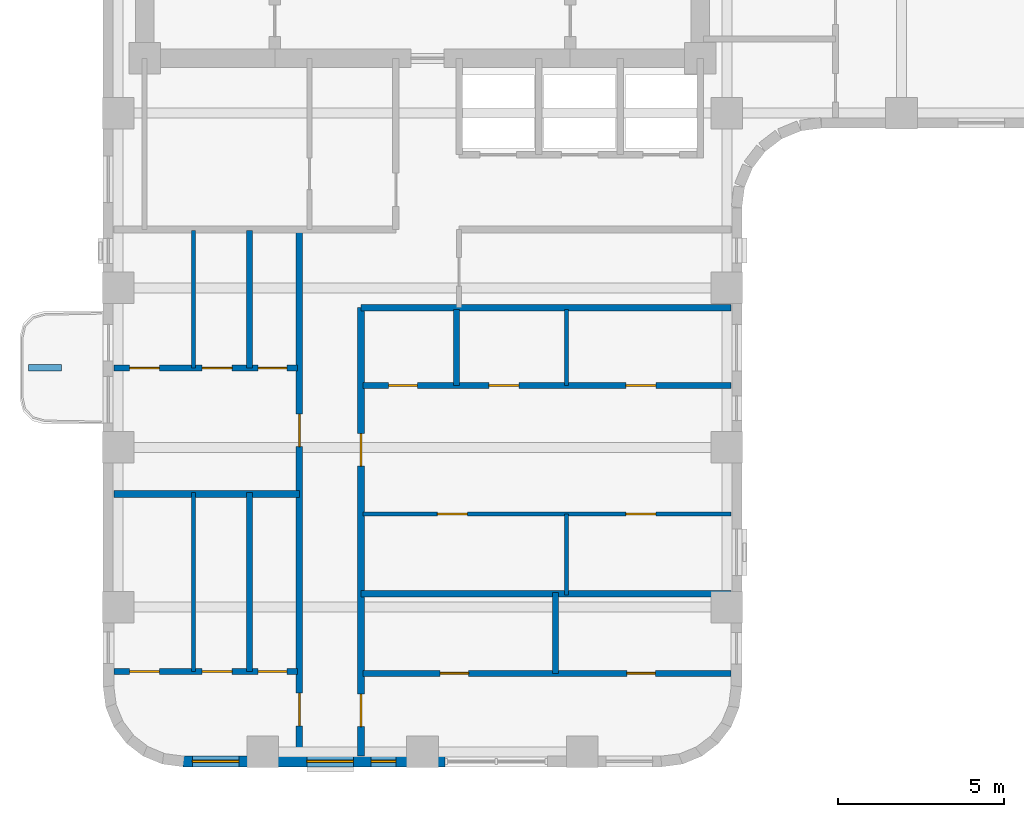
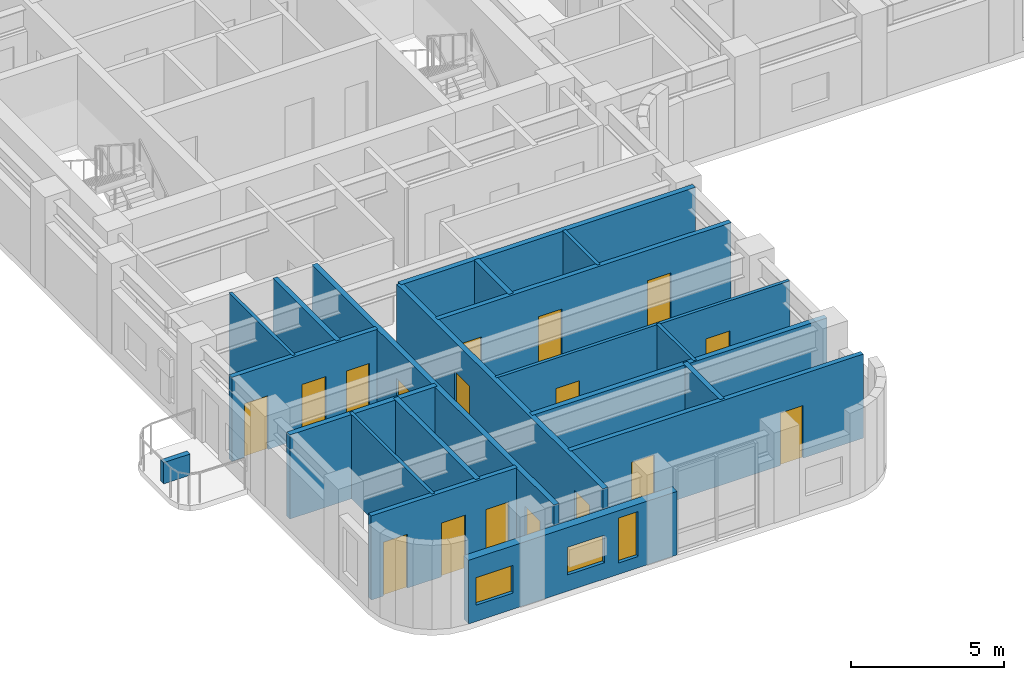
# One storey, part 4 of 11: 20 walls, 17 doors, 3 windows, 20 openings.
"""IFC4 building model written with IfcOpenShell, lengths in metres."""

from ifc_helpers import new_model, si_unit, direction, frame, frame_2d, origin, place, context, subcontext, project, spatial, rectangle, extrude, material, layer, layer_set, type_object, element, fill, save


model = new_model("IFC4")

# Units and contexts
model_context = context("Model", 3, precision=1e-05, world=origin(), true_north=direction((0.0, 1.0)))
body_context = subcontext(model_context, "Body", "Model", "MODEL_VIEW")
ifc_project = project(units=[si_unit("LENGTHUNIT", "METRE"), si_unit("AREAUNIT", "SQUARE_METRE"), si_unit("VOLUMEUNIT", "CUBIC_METRE"), si_unit("PLANEANGLEUNIT", "RADIAN"), si_unit("MASSUNIT", "GRAM", prefix="KILO")], contexts=[model_context])

# Site, building, storey
site_placement = place(None, origin())
site = spatial("IfcSite", under=ifc_project, at=site_placement, CompositionType="ELEMENT")
building_placement = place(site_placement, origin())
building = spatial("IfcBuilding", under=site, at=building_placement, Name="Orvandelia Arch Residences", CompositionType="ELEMENT")
storey_placement = place(building_placement, frame((0.0, 0.0, 125.199951171875)))
storey = spatial("IfcBuildingStorey", under=building, at=storey_placement, Name="L32", CompositionType="ELEMENT", Elevation=125.199951171875)

# Wall, openings, doors
ifc_material_1 = material(Name="Fire-Rated Corridor Partition")
ifc_layer_1 = layer(ifc_material_1, 0.199951171875, Name="Fire-Rated Corridor Partition")
ifc_layer_set_1 = layer_set([ifc_layer_1], Name="Fire-Rated Corridor Partition")
wall_type_1 = type_object("IfcWallType", Name="WL-CORR-200", PredefinedType="PARTITIONING", material=ifc_layer_set_1)
wall_1_placement = place(storey_placement, frame((10.699951171875, 9.919921875, 0.0), z_axis=(0.0, 0.0, 1.0), x_axis=(0.0, 1.0, 0.0)))
wall_1 = element("IfcWall", 1, at=wall_1_placement, inside=storey, type_object=wall_type_1, Name="Interior Partition Wall WL-L32-WC-W", PredefinedType="PARTITIONING", context=body_context, shape_type="SweptSolid", body=[
    extrude(rectangle(XDim=15.830078125, YDim=0.199951171875, at=frame_2d((7.9150390625, 0.0))), origin(), (0.0, 0.0, 1.0), 3.360107421875),
])
opening_1_placement = place(wall_1_placement, frame((0.910888671875, 0.0, 0.0)))
opening_1 = element("IfcOpeningElement", 2, at=opening_1_placement, cuts=wall_1, Name="Opening D1", PredefinedType="OPENING", context=body_context, shape_type="SweptSolid", body=[
    extrude(rectangle(XDim=0.97998046875, YDim=2.179931640625, at=frame_2d((0.489990234375, 1.08984375))), frame((0.0, 0.10986328125, 0.0), z_axis=(0.0, -1.0, 0.0), x_axis=(1.0, 0.0, 0.0)), (0.0, 0.0, 1.0), 0.219970703125),
])
opening_2_placement = place(wall_1_placement, frame((9.302001953125, 0.0, 0.0)))
opening_2 = element("IfcOpeningElement", 3, at=opening_2_placement, cuts=wall_1, Name="Opening D1", PredefinedType="OPENING", context=body_context, shape_type="SweptSolid", body=[
    extrude(rectangle(XDim=0.97998046875, YDim=2.179931640625, at=frame_2d((0.489990234375, 1.08984375))), frame((0.0, 0.10986328125, 0.0), z_axis=(0.0, -1.0, 0.0), x_axis=(1.0, 0.0, 0.0)), (0.0, 0.0, 1.0), 0.219970703125),
])
ifc_material_2 = material(Name="Solid-Core Timber Acoustic Fire Door", Category="wood")
door_type_1 = type_object("IfcDoorType", Name="DR-ENT-980", OperationType="NOTDEFINED", PredefinedType="DOOR", material=ifc_material_2)
door_1_placement = place(opening_1_placement, origin())
door_1 = element("IfcDoor", 4, at=door_1_placement, inside=storey, type_object=door_type_1, Name="Unit L32-01 Entrance Door", OperationType="SINGLE_SWING_LEFT", OverallHeight=2.179931640625, OverallWidth=0.97998046875, PredefinedType="DOOR", context=body_context, shape_type="SweptSolid", body=[
    extrude(rectangle(XDim=0.97998046875, YDim=2.179931640625, at=frame_2d((0.489990234375, 1.08984375))), frame((0.0, 0.02490234375, 0.0), z_axis=(0.0, -1.0, 0.0), x_axis=(1.0, 0.0, 0.0)), (0.0, 0.0, 1.0), 0.050048828125),
])
fill(opening_1, door_1)
door_2_placement = place(opening_2_placement, origin())
door_2 = element("IfcDoor", 5, at=door_2_placement, inside=storey, type_object=door_type_1, Name="Unit L32-02 Entrance Door", OperationType="SINGLE_SWING_RIGHT", OverallHeight=2.179931640625, OverallWidth=0.97998046875, PredefinedType="DOOR", context=body_context, shape_type="SweptSolid", body=[
    extrude(rectangle(XDim=0.97998046875, YDim=2.179931640625, at=frame_2d((0.489990234375, 1.08984375))), frame((0.0, 0.02490234375, 0.0), z_axis=(0.0, -1.0, 0.0), x_axis=(1.0, 0.0, 0.0)), (0.0, 0.0, 1.0), 0.050048828125),
])
fill(opening_2, door_2)

wall_2_placement = place(storey_placement, frame((12.550048828125, 9.919921875, 0.0), z_axis=(0.0, 0.0, 1.0), x_axis=(0.0, 1.0, 0.0)))
wall_2 = element("IfcWall", 6, at=wall_2_placement, inside=storey, type_object=wall_type_1, Name="Interior Partition Wall WL-L32-WC-E", PredefinedType="PARTITIONING", context=body_context, shape_type="SweptSolid", body=[
    extrude(rectangle(XDim=13.47998046875, YDim=0.199951171875, at=frame_2d((6.739990234375, 0.0))), origin(), (0.0, 0.0, 1.0), 3.360107421875),
])
opening_3_placement = place(wall_2_placement, frame((0.885009765625, 0.0, 0.0)))
opening_3 = element("IfcOpeningElement", 7, at=opening_3_placement, cuts=wall_2, Name="Opening D1", PredefinedType="OPENING", context=body_context, shape_type="SweptSolid", body=[
    extrude(rectangle(XDim=0.97998046875, YDim=2.179931640625, at=frame_2d((0.489990234375, 1.08984375))), frame((0.0, 0.10986328125, 0.0), z_axis=(0.0, -1.0, 0.0), x_axis=(1.0, 0.0, 0.0)), (0.0, 0.0, 1.0), 0.219970703125),
])
opening_4_placement = place(wall_2_placement, frame((8.718994140625, 0.0, 0.0)))
opening_4 = element("IfcOpeningElement", 8, at=opening_4_placement, cuts=wall_2, Name="Opening D1", PredefinedType="OPENING", context=body_context, shape_type="SweptSolid", body=[
    extrude(rectangle(XDim=0.97998046875, YDim=2.179931640625, at=frame_2d((0.489990234375, 1.08984375))), frame((0.0, 0.10986328125, 0.0), z_axis=(0.0, -1.0, 0.0), x_axis=(1.0, 0.0, 0.0)), (0.0, 0.0, 1.0), 0.219970703125),
])
door_3_placement = place(opening_3_placement, origin())
door_3 = element("IfcDoor", 9, at=door_3_placement, inside=storey, type_object=door_type_1, Name="Unit L32-03 Entrance Door", OperationType="SINGLE_SWING_LEFT", OverallHeight=2.179931640625, OverallWidth=0.97998046875, PredefinedType="DOOR", context=body_context, shape_type="SweptSolid", body=[
    extrude(rectangle(XDim=0.97998046875, YDim=2.179931640625, at=frame_2d((0.489990234375, 1.08984375))), frame((0.0, 0.02490234375, 0.0), z_axis=(0.0, -1.0, 0.0), x_axis=(1.0, 0.0, 0.0)), (0.0, 0.0, 1.0), 0.050048828125),
])
fill(opening_3, door_3)
door_4_placement = place(opening_4_placement, origin())
door_4 = element("IfcDoor", 10, at=door_4_placement, inside=storey, type_object=door_type_1, Name="Unit L32-04 Entrance Door", OperationType="SINGLE_SWING_RIGHT", OverallHeight=2.179931640625, OverallWidth=0.97998046875, PredefinedType="DOOR", context=body_context, shape_type="SweptSolid", body=[
    extrude(rectangle(XDim=0.97998046875, YDim=2.179931640625, at=frame_2d((0.489990234375, 1.08984375))), frame((0.0, 0.02490234375, 0.0), z_axis=(0.0, -1.0, 0.0), x_axis=(1.0, 0.0, 0.0)), (0.0, 0.0, 1.0), 0.050048828125),
])
fill(opening_4, door_4)

# Walls
wall_3_placement = place(storey_placement, frame((12.550048828125, 23.39990234375, 0.0), z_axis=(0.0, 0.0, 1.0), x_axis=(1.0, 0.0, 0.0)))
element("IfcWall", 11, at=wall_3_placement, inside=storey, type_object=wall_type_1, Name="Interior Partition Wall WL-L32-WLNK-S", PredefinedType="PARTITIONING", context=body_context, shape_type="SweptSolid", body=[
    extrude(rectangle(XDim=11.1298828125, YDim=0.199951171875, at=frame_2d((5.56494140625, 0.0))), origin(), (0.0, 0.0, 1.0), 3.360107421875),
])
ifc_material_3 = material(Name="Concrete C40/50", Category="concrete")
ifc_layer_2 = layer(ifc_material_3, 0.199951171875, Name="Concrete C40/50", Category="concrete")
ifc_layer_set_2 = layer_set([ifc_layer_2], Name="Concrete C40/50")
wall_type_2 = type_object("IfcWallType", Name="WL-DEM-200", PredefinedType="SOLIDWALL", material=ifc_layer_set_2)
wall_4_placement = place(storey_placement, frame((5.1201171875, 17.800048828125, 0.0), z_axis=(0.0, 0.0, 1.0), x_axis=(1.0, 0.0, 0.0)))
element("IfcWall", 12, at=wall_4_placement, inside=storey, type_object=wall_type_2, Name="Interior Partition Wall WL-L32-DEM-WL-178", PredefinedType="SOLIDWALL", context=body_context, shape_type="SweptSolid", body=[
    extrude(rectangle(XDim=5.579833984375, YDim=0.199951171875, at=frame_2d((2.7900390625, 0.0))), origin(), (0.0, 0.0, 1.0), 3.360107421875),
])
wall_5_placement = place(storey_placement, frame((12.550048828125, 14.800048828125, 0.0), z_axis=(0.0, 0.0, 1.0), x_axis=(1.0, 0.0, 0.0)))
element("IfcWall", 13, at=wall_5_placement, inside=storey, type_object=wall_type_2, Name="Interior Partition Wall WL-L32-DEM-WR-148", PredefinedType="SOLIDWALL", context=body_context, shape_type="SweptSolid", body=[
    extrude(rectangle(XDim=11.1298828125, YDim=0.199951171875, at=frame_2d((5.56494140625, 0.0))), origin(), (0.0, 0.0, 1.0), 3.360107421875),
])

# Wall, openings, windows
ifc_material_4 = material(Name="Precast concrete C40/50", Category="concrete")
ifc_layer_3 = layer(ifc_material_4, 0.320068359375, Name="Precast concrete C40/50", Category="concrete")
ifc_layer_set_3 = layer_set([ifc_layer_3], Name="Precast concrete C40/50")
wall_type_3 = type_object("IfcWallType", Name="WL-EXT-STONE-320", PredefinedType="STANDARD", material=ifc_layer_set_3)
wall_6_placement = place(storey_placement, frame((15.074951171875, 9.760009765625, 0.0), z_axis=(0.0, 0.0, 1.0), x_axis=(-1.0, 0.0, 0.0)))
wall_6 = element("IfcWall", 14, at=wall_6_placement, inside=storey, type_object=wall_type_3, Name="Coral-Limestone Precast Facade Wall L32-036", PredefinedType="STANDARD", context=body_context, shape_type="SweptSolid", body=[
    extrude(rectangle(XDim=7.875, YDim=0.320068359375, at=frame_2d((3.9375, 0.0))), origin(), (0.0, 0.0, 1.0), 2.5400390625),
])
opening_5_placement = place(wall_6_placement, frame((1.472412109375, 0.0, 0.449951171875)))
opening_5 = element("IfcOpeningElement", 15, at=opening_5_placement, cuts=wall_6, Name="Opening W11", PredefinedType="OPENING", context=body_context, shape_type="SweptSolid", body=[
    extrude(rectangle(XDim=0.75, YDim=1.800048828125, at=frame_2d((0.375, 0.89990234375))), frame((0.0, 0.169921875, 0.0), z_axis=(0.0, -1.0, 0.0), x_axis=(1.0, 0.0, 0.0)), (0.0, 0.0, 1.0), 0.340087890625),
])
opening_6_placement = place(wall_6_placement, frame((2.75, 0.0, 0.64990234375)))
opening_6 = element("IfcOpeningElement", 16, at=opening_6_placement, cuts=wall_6, Name="Opening W10", PredefinedType="OPENING", context=body_context, shape_type="SweptSolid", body=[
    extrude(rectangle(XDim=1.39990234375, YDim=1.10009765625, at=frame_2d((0.699951171875, 0.550048828125))), frame((0.0, 0.169921875, 0.0), z_axis=(0.0, -1.0, 0.0), x_axis=(1.0, 0.0, 0.0)), (0.0, 0.0, 1.0), 0.340087890625),
])
opening_7_placement = place(wall_6_placement, frame((6.1923828125, 0.0, 0.64990234375)))
opening_7 = element("IfcOpeningElement", 17, at=opening_7_placement, cuts=wall_6, Name="Opening W10", PredefinedType="OPENING", context=body_context, shape_type="SweptSolid", body=[
    extrude(rectangle(XDim=1.39990234375, YDim=1.10009765625, at=frame_2d((0.699951171875, 0.550048828125))), frame((0.0, 0.169921875, 0.0), z_axis=(0.0, -1.0, 0.0), x_axis=(1.0, 0.0, 0.0)), (0.0, 0.0, 1.0), 0.340087890625),
])
ifc_material_5 = material(Name="Tempered Low-E Insulated Glazing", Category="glass")
window_type_1 = type_object("IfcWindowType", Name="WIN-BED-0750x1800", PartitioningType="SINGLE_PANEL", PredefinedType="WINDOW", material=ifc_material_5)
window_1_placement = place(opening_5_placement, origin())
window_1 = element("IfcWindow", 18, at=window_1_placement, inside=storey, type_object=window_type_1, Name="Recessed Punched Window L32-023", OverallHeight=1.800048828125, OverallWidth=0.75, PartitioningType="SINGLE_PANEL", PredefinedType="WINDOW", context=body_context, shape_type="SweptSolid", body=[
    extrude(rectangle(XDim=0.75, YDim=1.800048828125, at=frame_2d((0.375, 0.89990234375))), frame((0.0, 0.030029296875, 0.0), z_axis=(0.0, -1.0, 0.0), x_axis=(1.0, 0.0, 0.0)), (0.0, 0.0, 1.0), 0.06005859375),
])
fill(opening_5, window_1)
window_type_2 = type_object("IfcWindowType", Name="WIN-CLR-1400x1100", PartitioningType="SINGLE_PANEL", PredefinedType="WINDOW", material=ifc_material_5)
window_2_placement = place(opening_6_placement, origin())
window_2 = element("IfcWindow", 19, at=window_2_placement, inside=storey, type_object=window_type_2, Name="Recessed Punched Window L32-024", OverallHeight=1.10009765625, OverallWidth=1.39990234375, PartitioningType="SINGLE_PANEL", PredefinedType="WINDOW", context=body_context, shape_type="SweptSolid", body=[
    extrude(rectangle(XDim=1.39990234375, YDim=1.10009765625, at=frame_2d((0.699951171875, 0.550048828125))), frame((0.0, 0.030029296875, 0.0), z_axis=(0.0, -1.0, 0.0), x_axis=(1.0, 0.0, 0.0)), (0.0, 0.0, 1.0), 0.06005859375),
])
fill(opening_6, window_2)
window_3_placement = place(opening_7_placement, origin())
window_3 = element("IfcWindow", 20, at=window_3_placement, inside=storey, type_object=window_type_2, Name="Recessed Punched Window L32-025", OverallHeight=1.10009765625, OverallWidth=1.39990234375, PartitioningType="SINGLE_PANEL", PredefinedType="WINDOW", context=body_context, shape_type="SweptSolid", body=[
    extrude(rectangle(XDim=1.39990234375, YDim=1.10009765625, at=frame_2d((0.699951171875, 0.550048828125))), frame((0.0, 0.030029296875, 0.0), z_axis=(0.0, -1.0, 0.0), x_axis=(1.0, 0.0, 0.0)), (0.0, 0.0, 1.0), 0.06005859375),
])
fill(opening_7, window_3)

# Walls
ifc_material_6 = material(Name="Lightweight Gypsum Stud Partition")
ifc_layer_4 = layer(ifc_material_6, 0.1201171875, Name="Lightweight Gypsum Stud Partition")
ifc_layer_set_4 = layer_set([ifc_layer_4], Name="Lightweight Gypsum Stud Partition")
wall_type_4 = type_object("IfcWallType", Name="WL-PART-120", PredefinedType="PARTITIONING", material=ifc_layer_set_4)
wall_7_placement = place(storey_placement, frame((7.514892578125, 12.4619140625, 0.0), z_axis=(0.0, 0.0, 1.0), x_axis=(0.0, 1.0, 0.0)))
element("IfcWall", 21, at=wall_7_placement, inside=storey, type_object=wall_type_4, Name="Interior Partition Wall WL-L32-U01-V1", PredefinedType="PARTITIONING", context=body_context, shape_type="SweptSolid", body=[
    extrude(rectangle(XDim=5.378173828125, YDim=0.1201171875, at=frame_2d((2.68896484375, 0.0))), origin(), (0.0, 0.0, 1.0), 3.360107421875),
])
wall_8_placement = place(storey_placement, frame((7.514892578125, 21.583984375, 0.0), z_axis=(0.0, 0.0, 1.0), x_axis=(0.0, 1.0, 0.0)))
element("IfcWall", 22, at=wall_8_placement, inside=storey, type_object=wall_type_4, Name="Interior Partition Wall WL-L32-U02-V1", PredefinedType="PARTITIONING", context=body_context, shape_type="SweptSolid", body=[
    extrude(rectangle(XDim=4.135986328125, YDim=0.1201171875, at=frame_2d((2.06787109375, 0.0))), origin(), (0.0, 0.0, 1.0), 3.360107421875),
])

# Wall, openings, doors
wall_9_placement = place(storey_placement, frame((12.610107421875, 17.197998046875, 0.0), z_axis=(0.0, 0.0, 1.0), x_axis=(1.0, 0.0, 0.0)))
wall_9 = element("IfcWall", 23, at=wall_9_placement, inside=storey, type_object=wall_type_4, Name="Interior Partition Wall WL-L32-U04-HB", PredefinedType="PARTITIONING", context=body_context, shape_type="SweptSolid", body=[
    extrude(rectangle(XDim=11.06982421875, YDim=0.1201171875, at=frame_2d((5.534912109375, 0.0))), origin(), (0.0, 0.0, 1.0), 3.360107421875),
])
opening_8_placement = place(wall_9_placement, frame((2.2373046875, 0.0, 0.0)))
opening_8 = element("IfcOpeningElement", 24, at=opening_8_placement, cuts=wall_9, Name="Opening D3", PredefinedType="OPENING", context=body_context, shape_type="SweptSolid", body=[
    extrude(rectangle(XDim=0.89990234375, YDim=2.14990234375, at=frame_2d((0.449951171875, 1.074951171875))), frame((0.0, 0.070068359375, 0.0), z_axis=(0.0, -1.0, 0.0), x_axis=(1.0, 0.0, 0.0)), (0.0, 0.0, 1.0), 0.14013671875),
])
opening_9_placement = place(wall_9_placement, frame((7.903076171875, 0.0, 0.0)))
opening_9 = element("IfcOpeningElement", 25, at=opening_9_placement, cuts=wall_9, Name="Opening D3", PredefinedType="OPENING", context=body_context, shape_type="SweptSolid", body=[
    extrude(rectangle(XDim=0.89990234375, YDim=2.14990234375, at=frame_2d((0.449951171875, 1.074951171875))), frame((0.0, 0.070068359375, 0.0), z_axis=(0.0, -1.0, 0.0), x_axis=(1.0, 0.0, 0.0)), (0.0, 0.0, 1.0), 0.14013671875),
])
ifc_material_7 = material(Name="Engineered Timber Flush Door", Category="wood")
door_type_2 = type_object("IfcDoorType", Name="DR-INT-900", OperationType="NOTDEFINED", PredefinedType="DOOR", material=ifc_material_7)
door_5_placement = place(opening_8_placement, origin())
door_5 = element("IfcDoor", 26, at=door_5_placement, inside=storey, type_object=door_type_2, Name="DR-L32-U04-STDY", OperationType="SINGLE_SWING_RIGHT", OverallHeight=2.14990234375, OverallWidth=0.89990234375, PredefinedType="DOOR", context=body_context, shape_type="SweptSolid", body=[
    extrude(rectangle(XDim=0.89990234375, YDim=2.14990234375, at=frame_2d((0.449951171875, 1.074951171875))), frame((0.0, 0.02490234375, 0.0), z_axis=(0.0, -1.0, 0.0), x_axis=(1.0, 0.0, 0.0)), (0.0, 0.0, 1.0), 0.050048828125),
])
fill(opening_8, door_5)
door_6_placement = place(opening_9_placement, origin())
door_6 = element("IfcDoor", 27, at=door_6_placement, inside=storey, type_object=door_type_2, Name="DR-L32-U04-BD2", OperationType="SINGLE_SWING_LEFT", OverallHeight=2.14990234375, OverallWidth=0.89990234375, PredefinedType="DOOR", context=body_context, shape_type="SweptSolid", body=[
    extrude(rectangle(XDim=0.89990234375, YDim=2.14990234375, at=frame_2d((0.449951171875, 1.074951171875))), frame((0.0, 0.02490234375, 0.0), z_axis=(0.0, -1.0, 0.0), x_axis=(1.0, 0.0, 0.0)), (0.0, 0.0, 1.0), 0.050048828125),
])
fill(opening_9, door_6)

# Walls
wall_10_placement = place(storey_placement, frame((18.73193359375, 14.760009765625, 0.0), z_axis=(0.0, 0.0, 1.0), x_axis=(0.0, 1.0, 0.0)))
element("IfcWall", 28, at=wall_10_placement, inside=storey, type_object=wall_type_4, Name="Interior Partition Wall WL-L32-U04-VB", PredefinedType="PARTITIONING", context=body_context, shape_type="SweptSolid", body=[
    extrude(rectangle(XDim=2.43798828125, YDim=0.1201171875, at=frame_2d((1.218994140625, 0.0))), origin(), (0.0, 0.0, 1.0), 3.360107421875),
])
wall_11_placement = place(storey_placement, frame((18.73193359375, 21.06005859375, 0.0), z_axis=(0.0, 0.0, 1.0), x_axis=(0.0, 1.0, 0.0)))
element("IfcWall", 29, at=wall_11_placement, inside=storey, type_object=wall_type_4, Name="Interior Partition Wall WL-L32-U04-V2", PredefinedType="PARTITIONING", context=body_context, shape_type="SweptSolid", body=[
    extrude(rectangle(XDim=2.280029296875, YDim=0.1201171875, at=frame_2d((1.14013671875, 0.0))), origin(), (0.0, 0.0, 1.0), 3.360107421875),
])
ifc_layer_5 = layer(ifc_material_4, 0.199951171875, Name="Precast concrete C40/50", Category="concrete")
ifc_layer_set_5 = layer_set([ifc_layer_5], Name="Precast concrete C40/50")
wall_type_5 = type_object("IfcWallType", Name="WL-PLANTER-200", PredefinedType="MOVABLE", material=ifc_layer_set_5)
wall_12_placement = place(storey_placement, frame((2.550048828125, 21.60009765625, 0.0), z_axis=(0.0, 0.0, 1.0), x_axis=(1.0, 0.0, 0.0)))
element("IfcWall", 30, at=wall_12_placement, inside=storey, type_object=wall_type_5, Name="Balcony Precast Tree Planter BAL-L32-W1", PredefinedType="MOVABLE", context=body_context, shape_type="SweptSolid", body=[
    extrude(rectangle(XDim=1.0, YDim=0.199951171875, at=frame_2d((0.5, 0.0))), origin(), (0.0, 0.0, 1.0), 0.85009765625),
])

# Wall, openings, doors
ifc_material_8 = material(Name="Moisture-Resistant Plumbing Wall")
ifc_layer_6 = layer(ifc_material_8, 0.179931640625, Name="Moisture-Resistant Plumbing Wall")
ifc_layer_set_6 = layer_set([ifc_layer_6], Name="Moisture-Resistant Plumbing Wall")
wall_type_6 = type_object("IfcWallType", Name="WL-WET-180", PredefinedType="PLUMBINGWALL", material=ifc_layer_set_6)
wall_13_placement = place(storey_placement, frame((5.1201171875, 12.4619140625, 0.0), z_axis=(0.0, 0.0, 1.0), x_axis=(1.0, 0.0, 0.0)))
wall_13 = element("IfcWall", 31, at=wall_13_placement, inside=storey, type_object=wall_type_6, Name="Interior Partition Wall WL-L32-U01-HZ", PredefinedType="PLUMBINGWALL", context=body_context, shape_type="SweptSolid", body=[
    extrude(rectangle(XDim=5.519775390625, YDim=0.179931640625, at=frame_2d((2.759765625, 0.0))), origin(), (0.0, 0.0, 1.0), 3.360107421875),
])
opening_10_placement = place(wall_13_placement, frame((0.47216796875, 0.0, 0.0)))
opening_10 = element("IfcOpeningElement", 32, at=opening_10_placement, cuts=wall_13, Name="Opening D3", PredefinedType="OPENING", context=body_context, shape_type="SweptSolid", body=[
    extrude(rectangle(XDim=0.89990234375, YDim=2.14990234375, at=frame_2d((0.449951171875, 1.074951171875))), frame((0.0, 0.10009765625, 0.0), z_axis=(0.0, -1.0, 0.0), x_axis=(1.0, 0.0, 0.0)), (0.0, 0.0, 1.0), 0.199951171875),
])
opening_11_placement = place(wall_13_placement, frame((2.655029296875, 0.0, 0.0)))
opening_11 = element("IfcOpeningElement", 33, at=opening_11_placement, cuts=wall_13, Name="Opening D3", PredefinedType="OPENING", context=body_context, shape_type="SweptSolid", body=[
    extrude(rectangle(XDim=0.89990234375, YDim=2.14990234375, at=frame_2d((0.449951171875, 1.074951171875))), frame((0.0, 0.10009765625, 0.0), z_axis=(0.0, -1.0, 0.0), x_axis=(1.0, 0.0, 0.0)), (0.0, 0.0, 1.0), 0.199951171875),
])
opening_12_placement = place(wall_13_placement, frame((4.342041015625, 0.0, 0.0)))
opening_12 = element("IfcOpeningElement", 34, at=opening_12_placement, cuts=wall_13, Name="Opening D4", PredefinedType="OPENING", context=body_context, shape_type="SweptSolid", body=[
    extrude(rectangle(XDim=0.860107421875, YDim=2.10009765625, at=frame_2d((0.43017578125, 1.050048828125))), frame((0.0, 0.10009765625, 0.0), z_axis=(0.0, -1.0, 0.0), x_axis=(1.0, 0.0, 0.0)), (0.0, 0.0, 1.0), 0.199951171875),
])
door_7_placement = place(opening_10_placement, origin())
door_7 = element("IfcDoor", 35, at=door_7_placement, inside=storey, type_object=door_type_2, Name="DR-L32-U01-BD1", OperationType="SINGLE_SWING_LEFT", OverallHeight=2.14990234375, OverallWidth=0.89990234375, PredefinedType="DOOR", context=body_context, shape_type="SweptSolid", body=[
    extrude(rectangle(XDim=0.89990234375, YDim=2.14990234375, at=frame_2d((0.449951171875, 1.074951171875))), frame((0.0, 0.02490234375, 0.0), z_axis=(0.0, -1.0, 0.0), x_axis=(1.0, 0.0, 0.0)), (0.0, 0.0, 1.0), 0.050048828125),
])
fill(opening_10, door_7)
door_8_placement = place(opening_11_placement, origin())
door_8 = element("IfcDoor", 36, at=door_8_placement, inside=storey, type_object=door_type_2, Name="DR-L32-U01-KIT", OperationType="SINGLE_SWING_RIGHT", OverallHeight=2.14990234375, OverallWidth=0.89990234375, PredefinedType="DOOR", context=body_context, shape_type="SweptSolid", body=[
    extrude(rectangle(XDim=0.89990234375, YDim=2.14990234375, at=frame_2d((0.449951171875, 1.074951171875))), frame((0.0, 0.02490234375, 0.0), z_axis=(0.0, -1.0, 0.0), x_axis=(1.0, 0.0, 0.0)), (0.0, 0.0, 1.0), 0.050048828125),
])
fill(opening_11, door_8)
ifc_material_9 = material(Name="Moisture-Sealed Timber Bathroom Door", Category="wood")
door_type_3 = type_object("IfcDoorType", Name="DR-WET-900", OperationType="NOTDEFINED", PredefinedType="DOOR", material=ifc_material_9)
door_9_placement = place(opening_12_placement, origin())
door_9 = element("IfcDoor", 37, at=door_9_placement, inside=storey, type_object=door_type_3, Name="DR-L32-U01-BTH", OperationType="SINGLE_SWING_LEFT", OverallHeight=2.10009765625, OverallWidth=0.860107421875, PredefinedType="DOOR", context=body_context, shape_type="SweptSolid", body=[
    extrude(rectangle(XDim=0.860107421875, YDim=2.10009765625, at=frame_2d((0.43017578125, 1.050048828125))), frame((0.0, 0.02490234375, 0.0), z_axis=(0.0, -1.0, 0.0), x_axis=(1.0, 0.0, 0.0)), (0.0, 0.0, 1.0), 0.050048828125),
])
fill(opening_12, door_9)

# Wall
wall_14_placement = place(storey_placement, frame((9.201904296875, 12.4619140625, 0.0), z_axis=(0.0, 0.0, 1.0), x_axis=(0.0, 1.0, 0.0)))
element("IfcWall", 38, at=wall_14_placement, inside=storey, type_object=wall_type_6, Name="Interior Partition Wall WL-L32-U01-V2", PredefinedType="PLUMBINGWALL", context=body_context, shape_type="SweptSolid", body=[
    extrude(rectangle(XDim=5.378173828125, YDim=0.179931640625, at=frame_2d((2.68896484375, 0.0))), origin(), (0.0, 0.0, 1.0), 3.360107421875),
])

# Wall, openings, doors
wall_15_placement = place(storey_placement, frame((5.1201171875, 21.583984375, 0.0), z_axis=(0.0, 0.0, 1.0), x_axis=(1.0, 0.0, 0.0)))
wall_15 = element("IfcWall", 39, at=wall_15_placement, inside=storey, type_object=wall_type_6, Name="Interior Partition Wall WL-L32-U02-HZ", PredefinedType="PLUMBINGWALL", context=body_context, shape_type="SweptSolid", body=[
    extrude(rectangle(XDim=5.519775390625, YDim=0.179931640625, at=frame_2d((2.759765625, 0.0))), origin(), (0.0, 0.0, 1.0), 3.360107421875),
])
opening_13_placement = place(wall_15_placement, frame((0.47216796875, 0.0, 0.0)))
opening_13 = element("IfcOpeningElement", 40, at=opening_13_placement, cuts=wall_15, Name="Opening D3", PredefinedType="OPENING", context=body_context, shape_type="SweptSolid", body=[
    extrude(rectangle(XDim=0.89990234375, YDim=2.14990234375, at=frame_2d((0.449951171875, 1.074951171875))), frame((0.0, 0.10009765625, 0.0), z_axis=(0.0, -1.0, 0.0), x_axis=(1.0, 0.0, 0.0)), (0.0, 0.0, 1.0), 0.199951171875),
])
opening_14_placement = place(wall_15_placement, frame((2.655029296875, 0.0, 0.0)))
opening_14 = element("IfcOpeningElement", 41, at=opening_14_placement, cuts=wall_15, Name="Opening D3", PredefinedType="OPENING", context=body_context, shape_type="SweptSolid", body=[
    extrude(rectangle(XDim=0.89990234375, YDim=2.14990234375, at=frame_2d((0.449951171875, 1.074951171875))), frame((0.0, 0.10009765625, 0.0), z_axis=(0.0, -1.0, 0.0), x_axis=(1.0, 0.0, 0.0)), (0.0, 0.0, 1.0), 0.199951171875),
])
opening_15_placement = place(wall_15_placement, frame((4.342041015625, 0.0, 0.0)))
opening_15 = element("IfcOpeningElement", 42, at=opening_15_placement, cuts=wall_15, Name="Opening D4", PredefinedType="OPENING", context=body_context, shape_type="SweptSolid", body=[
    extrude(rectangle(XDim=0.860107421875, YDim=2.10009765625, at=frame_2d((0.43017578125, 1.050048828125))), frame((0.0, 0.10009765625, 0.0), z_axis=(0.0, -1.0, 0.0), x_axis=(1.0, 0.0, 0.0)), (0.0, 0.0, 1.0), 0.199951171875),
])
door_10_placement = place(opening_13_placement, origin())
door_10 = element("IfcDoor", 43, at=door_10_placement, inside=storey, type_object=door_type_2, Name="DR-L32-U02-BD1", OperationType="SINGLE_SWING_RIGHT", OverallHeight=2.14990234375, OverallWidth=0.89990234375, PredefinedType="DOOR", context=body_context, shape_type="SweptSolid", body=[
    extrude(rectangle(XDim=0.89990234375, YDim=2.14990234375, at=frame_2d((0.449951171875, 1.074951171875))), frame((0.0, 0.02490234375, 0.0), z_axis=(0.0, -1.0, 0.0), x_axis=(1.0, 0.0, 0.0)), (0.0, 0.0, 1.0), 0.050048828125),
])
fill(opening_13, door_10)
door_11_placement = place(opening_14_placement, origin())
door_11 = element("IfcDoor", 44, at=door_11_placement, inside=storey, type_object=door_type_2, Name="DR-L32-U02-KIT", OperationType="SINGLE_SWING_LEFT", OverallHeight=2.14990234375, OverallWidth=0.89990234375, PredefinedType="DOOR", context=body_context, shape_type="SweptSolid", body=[
    extrude(rectangle(XDim=0.89990234375, YDim=2.14990234375, at=frame_2d((0.449951171875, 1.074951171875))), frame((0.0, 0.02490234375, 0.0), z_axis=(0.0, -1.0, 0.0), x_axis=(1.0, 0.0, 0.0)), (0.0, 0.0, 1.0), 0.050048828125),
])
fill(opening_14, door_11)
door_12_placement = place(opening_15_placement, origin())
door_12 = element("IfcDoor", 45, at=door_12_placement, inside=storey, type_object=door_type_3, Name="DR-L32-U02-BTH", OperationType="SINGLE_SWING_RIGHT", OverallHeight=2.10009765625, OverallWidth=0.860107421875, PredefinedType="DOOR", context=body_context, shape_type="SweptSolid", body=[
    extrude(rectangle(XDim=0.860107421875, YDim=2.10009765625, at=frame_2d((0.43017578125, 1.050048828125))), frame((0.0, 0.02490234375, 0.0), z_axis=(0.0, -1.0, 0.0), x_axis=(1.0, 0.0, 0.0)), (0.0, 0.0, 1.0), 0.050048828125),
])
fill(opening_15, door_12)

# Wall
wall_16_placement = place(storey_placement, frame((9.201904296875, 21.583984375, 0.0), z_axis=(0.0, 0.0, 1.0), x_axis=(0.0, 1.0, 0.0)))
element("IfcWall", 46, at=wall_16_placement, inside=storey, type_object=wall_type_6, Name="Interior Partition Wall WL-L32-U02-V2", PredefinedType="PLUMBINGWALL", context=body_context, shape_type="SweptSolid", body=[
    extrude(rectangle(XDim=4.135986328125, YDim=0.179931640625, at=frame_2d((2.06787109375, 0.0))), origin(), (0.0, 0.0, 1.0), 3.360107421875),
])

# Wall, openings, doors
wall_17_placement = place(storey_placement, frame((12.610107421875, 12.409912109375, 0.0), z_axis=(0.0, 0.0, 1.0), x_axis=(1.0, 0.0, 0.0)))
wall_17 = element("IfcWall", 47, at=wall_17_placement, inside=storey, type_object=wall_type_6, Name="Interior Partition Wall WL-L32-U03-HZ", PredefinedType="PLUMBINGWALL", context=body_context, shape_type="SweptSolid", body=[
    extrude(rectangle(XDim=11.06982421875, YDim=0.179931640625, at=frame_2d((5.534912109375, 0.0))), origin(), (0.0, 0.0, 1.0), 3.360107421875),
])
opening_16_placement = place(wall_17_placement, frame((2.319091796875, 0.0, 0.0)))
opening_16 = element("IfcOpeningElement", 48, at=opening_16_placement, cuts=wall_17, Name="Opening D4", PredefinedType="OPENING", context=body_context, shape_type="SweptSolid", body=[
    extrude(rectangle(XDim=0.860107421875, YDim=2.10009765625, at=frame_2d((0.43017578125, 1.050048828125))), frame((0.0, 0.10009765625, 0.0), z_axis=(0.0, -1.0, 0.0), x_axis=(1.0, 0.0, 0.0)), (0.0, 0.0, 1.0), 0.199951171875),
])
opening_17_placement = place(wall_17_placement, frame((7.93408203125, 0.0, 0.0)))
opening_17 = element("IfcOpeningElement", 49, at=opening_17_placement, cuts=wall_17, Name="Opening D4", PredefinedType="OPENING", context=body_context, shape_type="SweptSolid", body=[
    extrude(rectangle(XDim=0.860107421875, YDim=2.10009765625, at=frame_2d((0.43017578125, 1.050048828125))), frame((0.0, 0.10009765625, 0.0), z_axis=(0.0, -1.0, 0.0), x_axis=(1.0, 0.0, 0.0)), (0.0, 0.0, 1.0), 0.199951171875),
])
door_13_placement = place(opening_16_placement, origin())
door_13 = element("IfcDoor", 50, at=door_13_placement, inside=storey, type_object=door_type_3, Name="DR-L32-U03-KIT", OperationType="SINGLE_SWING_LEFT", OverallHeight=2.10009765625, OverallWidth=0.860107421875, PredefinedType="DOOR", context=body_context, shape_type="SweptSolid", body=[
    extrude(rectangle(XDim=0.860107421875, YDim=2.10009765625, at=frame_2d((0.43017578125, 1.050048828125))), frame((0.0, 0.02490234375, 0.0), z_axis=(0.0, -1.0, 0.0), x_axis=(1.0, 0.0, 0.0)), (0.0, 0.0, 1.0), 0.050048828125),
])
fill(opening_16, door_13)
door_14_placement = place(opening_17_placement, origin())
door_14 = element("IfcDoor", 51, at=door_14_placement, inside=storey, type_object=door_type_3, Name="DR-L32-U03-BTH", OperationType="SINGLE_SWING_RIGHT", OverallHeight=2.10009765625, OverallWidth=0.860107421875, PredefinedType="DOOR", context=body_context, shape_type="SweptSolid", body=[
    extrude(rectangle(XDim=0.860107421875, YDim=2.10009765625, at=frame_2d((0.43017578125, 1.050048828125))), frame((0.0, 0.02490234375, 0.0), z_axis=(0.0, -1.0, 0.0), x_axis=(1.0, 0.0, 0.0)), (0.0, 0.0, 1.0), 0.050048828125),
])
fill(opening_17, door_14)

# Wall
wall_18_placement = place(storey_placement, frame((18.39794921875, 12.409912109375, 0.0), z_axis=(0.0, 0.0, 1.0), x_axis=(0.0, 1.0, 0.0)))
element("IfcWall", 52, at=wall_18_placement, inside=storey, type_object=wall_type_6, Name="Interior Partition Wall WL-L32-U03-V1", PredefinedType="PLUMBINGWALL", context=body_context, shape_type="SweptSolid", body=[
    extrude(rectangle(XDim=2.43017578125, YDim=0.179931640625, at=frame_2d((1.215087890625, 0.0))), origin(), (0.0, 0.0, 1.0), 3.360107421875),
])

# Wall, openings, doors
wall_19_placement = place(storey_placement, frame((12.610107421875, 21.06005859375, 0.0), z_axis=(0.0, 0.0, 1.0), x_axis=(1.0, 0.0, 0.0)))
wall_19 = element("IfcWall", 53, at=wall_19_placement, inside=storey, type_object=wall_type_6, Name="Interior Partition Wall WL-L32-U04-HZ", PredefinedType="PLUMBINGWALL", context=body_context, shape_type="SweptSolid", body=[
    extrude(rectangle(XDim=11.06982421875, YDim=0.179931640625, at=frame_2d((5.534912109375, 0.0))), origin(), (0.0, 0.0, 1.0), 3.360107421875),
])
opening_18_placement = place(wall_19_placement, frame((0.772216796875, 0.0, 0.0)))
opening_18 = element("IfcOpeningElement", 54, at=opening_18_placement, cuts=wall_19, Name="Opening D4", PredefinedType="OPENING", context=body_context, shape_type="SweptSolid", body=[
    extrude(rectangle(XDim=0.860107421875, YDim=2.10009765625, at=frame_2d((0.43017578125, 1.050048828125))), frame((0.0, 0.10009765625, 0.0), z_axis=(0.0, -1.0, 0.0), x_axis=(1.0, 0.0, 0.0)), (0.0, 0.0, 1.0), 0.199951171875),
])
opening_19_placement = place(wall_19_placement, frame((3.7861328125, 0.0, 0.0)))
opening_19 = element("IfcOpeningElement", 55, at=opening_19_placement, cuts=wall_19, Name="Opening D3", PredefinedType="OPENING", context=body_context, shape_type="SweptSolid", body=[
    extrude(rectangle(XDim=0.89990234375, YDim=2.14990234375, at=frame_2d((0.449951171875, 1.074951171875))), frame((0.0, 0.10009765625, 0.0), z_axis=(0.0, -1.0, 0.0), x_axis=(1.0, 0.0, 0.0)), (0.0, 0.0, 1.0), 0.199951171875),
])
opening_20_placement = place(wall_19_placement, frame((7.903076171875, 0.0, 0.0)))
opening_20 = element("IfcOpeningElement", 56, at=opening_20_placement, cuts=wall_19, Name="Opening D3", PredefinedType="OPENING", context=body_context, shape_type="SweptSolid", body=[
    extrude(rectangle(XDim=0.89990234375, YDim=2.14990234375, at=frame_2d((0.449951171875, 1.074951171875))), frame((0.0, 0.10009765625, 0.0), z_axis=(0.0, -1.0, 0.0), x_axis=(1.0, 0.0, 0.0)), (0.0, 0.0, 1.0), 0.199951171875),
])
door_15_placement = place(opening_19_placement, origin())
door_15 = element("IfcDoor", 57, at=door_15_placement, inside=storey, type_object=door_type_2, Name="DR-L32-U04-KIT", OperationType="SINGLE_SWING_RIGHT", OverallHeight=2.14990234375, OverallWidth=0.89990234375, PredefinedType="DOOR", context=body_context, shape_type="SweptSolid", body=[
    extrude(rectangle(XDim=0.89990234375, YDim=2.14990234375, at=frame_2d((0.449951171875, 1.074951171875))), frame((0.0, 0.02490234375, 0.0), z_axis=(0.0, -1.0, 0.0), x_axis=(1.0, 0.0, 0.0)), (0.0, 0.0, 1.0), 0.050048828125),
])
fill(opening_19, door_15)
door_16_placement = place(opening_20_placement, origin())
door_16 = element("IfcDoor", 58, at=door_16_placement, inside=storey, type_object=door_type_2, Name="DR-L32-U04-BD1", OperationType="SINGLE_SWING_LEFT", OverallHeight=2.14990234375, OverallWidth=0.89990234375, PredefinedType="DOOR", context=body_context, shape_type="SweptSolid", body=[
    extrude(rectangle(XDim=0.89990234375, YDim=2.14990234375, at=frame_2d((0.449951171875, 1.074951171875))), frame((0.0, 0.02490234375, 0.0), z_axis=(0.0, -1.0, 0.0), x_axis=(1.0, 0.0, 0.0)), (0.0, 0.0, 1.0), 0.050048828125),
])
fill(opening_20, door_16)
door_17_placement = place(opening_18_placement, origin())
door_17 = element("IfcDoor", 59, at=door_17_placement, inside=storey, type_object=door_type_3, Name="DR-L32-U04-BTH", OperationType="SINGLE_SWING_LEFT", OverallHeight=2.10009765625, OverallWidth=0.860107421875, PredefinedType="DOOR", context=body_context, shape_type="SweptSolid", body=[
    extrude(rectangle(XDim=0.860107421875, YDim=2.10009765625, at=frame_2d((0.43017578125, 1.050048828125))), frame((0.0, 0.02490234375, 0.0), z_axis=(0.0, -1.0, 0.0), x_axis=(1.0, 0.0, 0.0)), (0.0, 0.0, 1.0), 0.050048828125),
])
fill(opening_18, door_17)

# Wall
wall_20_placement = place(storey_placement, frame((15.426025390625, 21.06005859375, 0.0), z_axis=(0.0, 0.0, 1.0), x_axis=(0.0, 1.0, 0.0)))
element("IfcWall", 60, at=wall_20_placement, inside=storey, type_object=wall_type_6, Name="Interior Partition Wall WL-L32-U04-V1", PredefinedType="PLUMBINGWALL", context=body_context, shape_type="SweptSolid", body=[
    extrude(rectangle(XDim=2.280029296875, YDim=0.179931640625, at=frame_2d((1.14013671875, 0.0))), origin(), (0.0, 0.0, 1.0), 3.360107421875),
])

save(model, "model.ifc")
